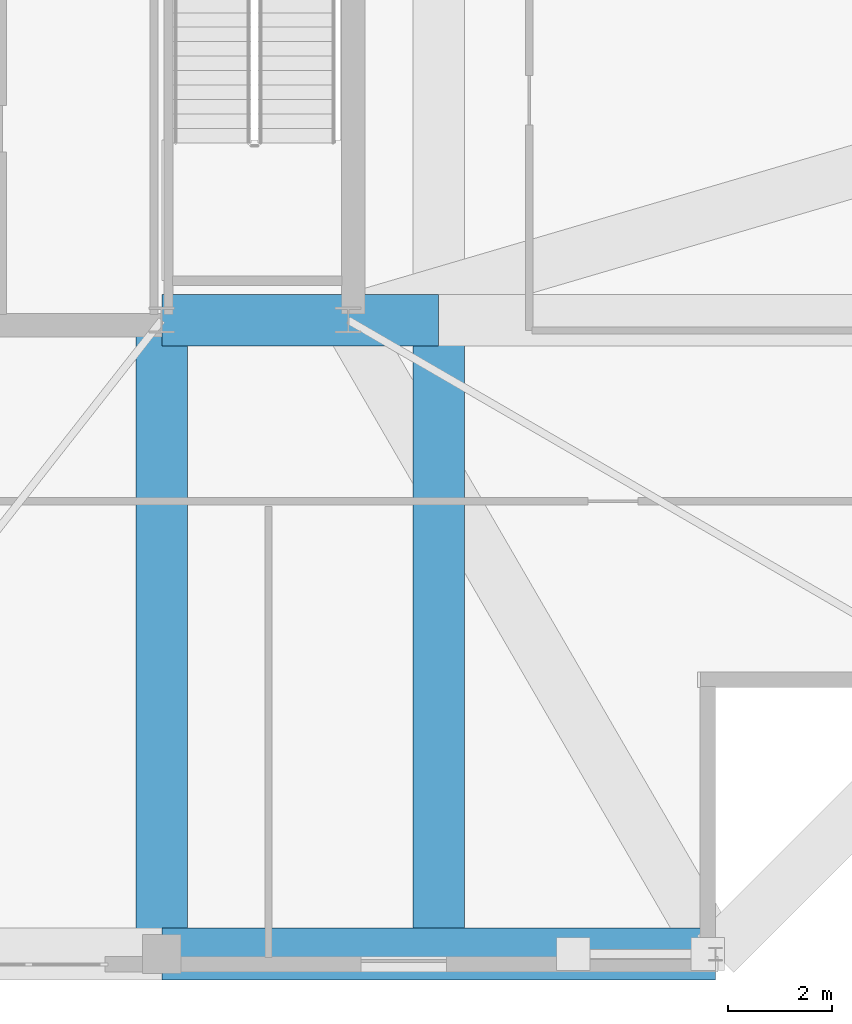
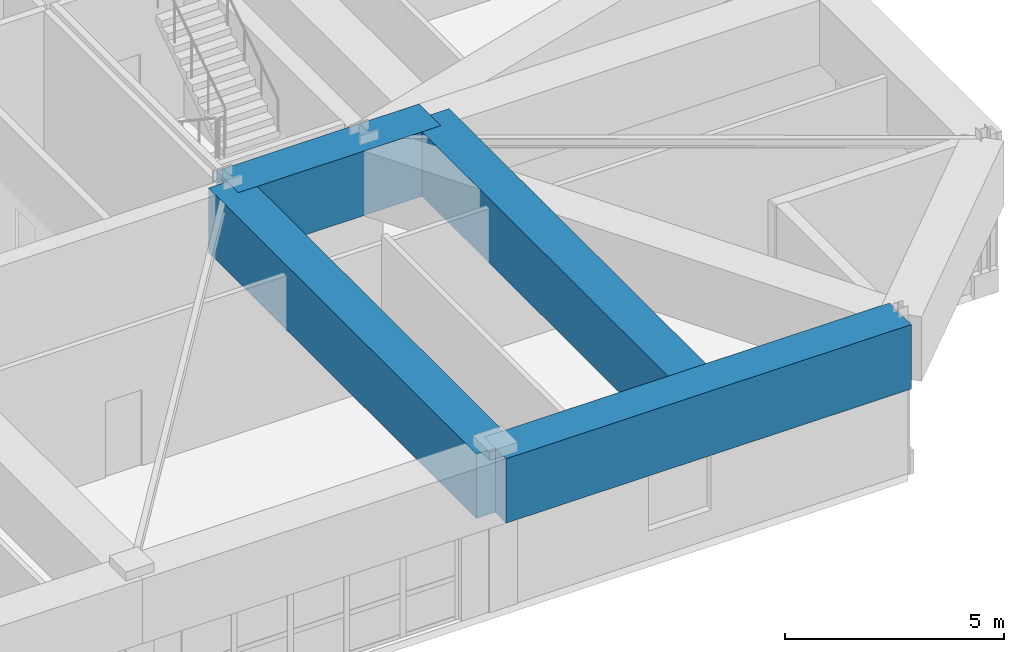
# One storey, part 7 of 17: 4 beams.
"""IFC4 building model written with IfcOpenShell, lengths in metres."""

from ifc_helpers import new_model, si_unit, direction, frame, origin, origin_2d, place, context, subcontext, project, spatial, rectangle, extrude, material, material_profile, profile_set, type_object, element, save


model = new_model("IFC4")

# Units and contexts
model_context = context("Model", 3, precision=1e-05, world=origin(), true_north=direction((0.0, 1.0)))
body_context = subcontext(model_context, "Body", "Model", "MODEL_VIEW")
ifc_project = project(units=[si_unit("LENGTHUNIT", "METRE"), si_unit("AREAUNIT", "SQUARE_METRE"), si_unit("VOLUMEUNIT", "CUBIC_METRE"), si_unit("PLANEANGLEUNIT", "RADIAN"), si_unit("MASSUNIT", "GRAM", prefix="KILO")], contexts=[model_context])

# Site, building, storey
site_placement = place(None, origin())
site = spatial("IfcSite", under=ifc_project, at=site_placement, CompositionType="ELEMENT")
building_placement = place(site_placement, origin())
building = spatial("IfcBuilding", under=site, at=building_placement, Name="Cairnveth Concourse Tower", CompositionType="ELEMENT")
storey_placement = place(building_placement, frame((0.0, 0.0, 320.0)))
storey = spatial("IfcBuildingStorey", under=building, at=storey_placement, Name="L88", CompositionType="ELEMENT", Elevation=320.0)

# Beams
ifc_material = material(Name="Concrete N65 (65 MPa)", Category="concrete")
ifc_material_profile = material_profile(ifc_material, rectangle(XDim=1.0, YDim=1.800048828125, at=origin_2d()), Name="RC-TB-1000x1800")
ifc_profile_set = profile_set([ifc_material_profile], Name="Concrete N65 (65 MPa)")
beam_type = type_object("IfcBeamType", Name="CONCRETE TRANSFER GIRDER 1000X1800", PredefinedType="BEAM", material=ifc_profile_set)
beam_1_placement = place(storey_placement, frame((56.800048828125, 18.35009765625, 3.35009765625), z_axis=(1.0, 0.0, 0.0), x_axis=(0.0, 1.0, 0.0)))
element("IfcBeam", 1, at=beam_1_placement, inside=storey, type_object=beam_type, Name="Beam SP-S3 L88", PredefinedType="BEAM", context=body_context, shape_type="SweptSolid", body=[
    extrude(rectangle(XDim=1.0, YDim=1.800048828125, at=origin_2d()), origin(), (0.0, 0.0, 1.0), 10.699951171875),
])
beam_2_placement = place(storey_placement, frame((56.800048828125, 18.35009765625, 3.35009765625), z_axis=(0.0, 1.0, 0.0), x_axis=(-1.0, 0.0, 0.0)))
element("IfcBeam", 2, at=beam_2_placement, inside=storey, type_object=beam_type, Name="Beam RG-S2 L88", PredefinedType="BEAM", context=body_context, shape_type="SweptSolid", body=[
    extrude(rectangle(XDim=1.0, YDim=1.800048828125, at=origin_2d()), origin(), (0.0, 0.0, 1.0), 12.25),
])
beam_3_placement = place(storey_placement, frame((56.800048828125, 30.60009765625, 3.35009765625), z_axis=(1.0, 0.0, 0.0), x_axis=(0.0, 1.0, 0.0)))
element("IfcBeam", 3, at=beam_3_placement, inside=storey, type_object=beam_type, Name="Beam CTG-EM1A L88", PredefinedType="BEAM", context=body_context, shape_type="SweptSolid", body=[
    extrude(rectangle(XDim=1.0, YDim=1.800048828125, at=origin_2d()), origin(), (0.0, 0.0, 1.0), 5.349853515625),
])
beam_4_placement = place(storey_placement, frame((62.14990234375, 18.5, 3.35009765625), z_axis=(0.0, 1.0, 0.0), x_axis=(-1.0, 0.0, 0.0)))
element("IfcBeam", 4, at=beam_4_placement, inside=storey, type_object=beam_type, Name="Beam CTG-E-NS1 L88", PredefinedType="BEAM", context=body_context, shape_type="SweptSolid", body=[
    extrude(rectangle(XDim=1.0, YDim=1.800048828125, at=origin_2d()), origin(), (0.0, 0.0, 1.0), 12.10009765625),
])

save(model, "model.ifc")
